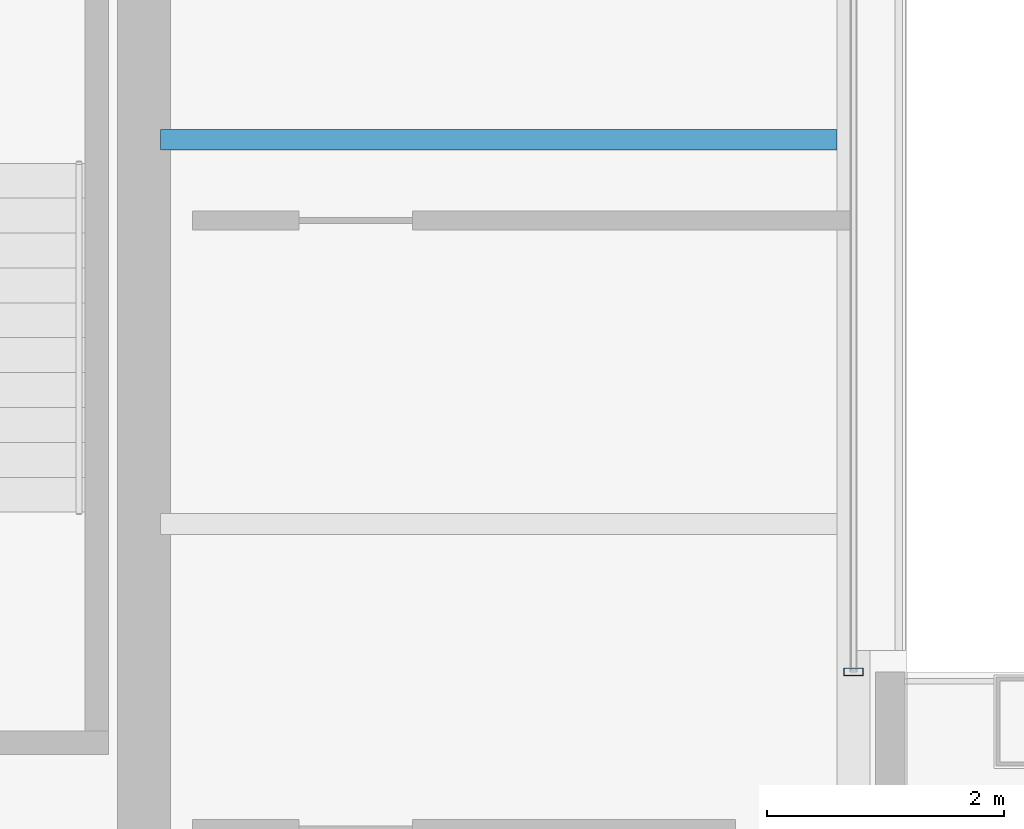
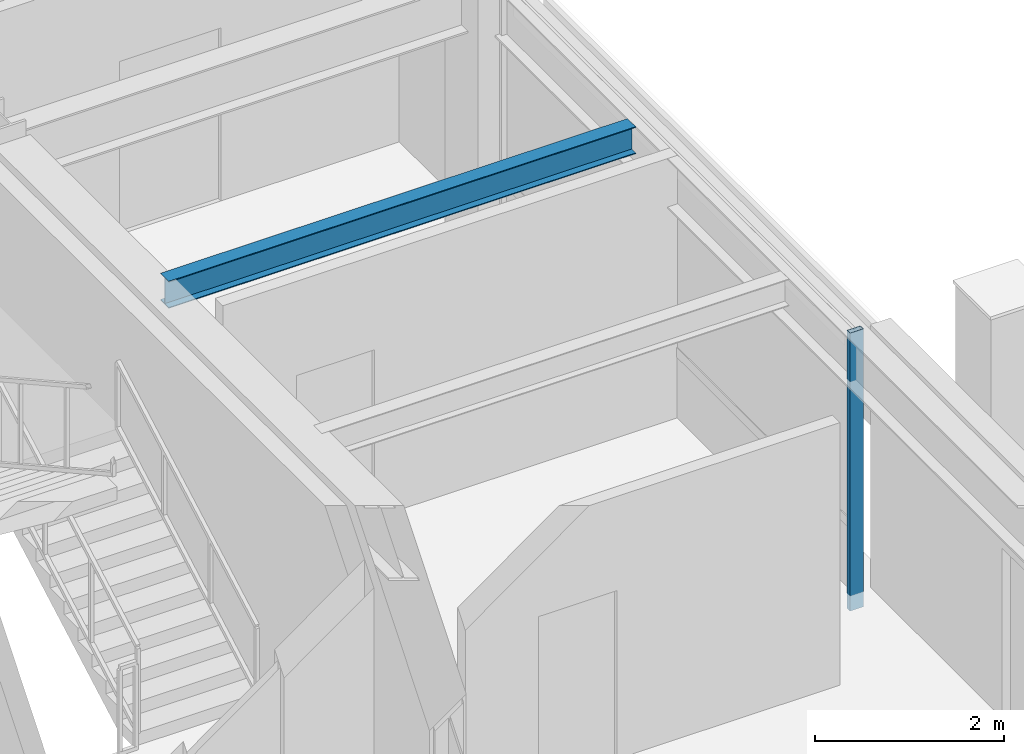
# One storey, part 16 of 30: 1 beam, 1 member, 1 element without a shape of its own.
"""IFC4 building model written with IfcOpenShell, lengths in metres."""

from ifc_helpers import new_model, si_unit, direction, frame, origin, origin_2d, place, context, subcontext, project, spatial, hollow_rectangle, i_section, extrude, material, layer, layer_set, material_profile, profile_set, type_object, element, aggregate, save


model = new_model("IFC4")

# Units and contexts
model_context = context("Model", 3, precision=1e-05, world=origin(), true_north=direction((0.0, 1.0)))
body_context = subcontext(model_context, "Body", "Model", "MODEL_VIEW")
ifc_project = project(units=[si_unit("LENGTHUNIT", "METRE"), si_unit("AREAUNIT", "SQUARE_METRE"), si_unit("VOLUMEUNIT", "CUBIC_METRE"), si_unit("PLANEANGLEUNIT", "RADIAN"), si_unit("MASSUNIT", "GRAM", prefix="KILO")], contexts=[model_context])

# Site, building, storey
site_placement = place(None, origin())
site = spatial("IfcSite", under=ifc_project, at=site_placement, CompositionType="ELEMENT")
building_placement = place(site_placement, origin())
building = spatial("IfcBuilding", under=site, at=building_placement, Name="Brelmoor Portico Tower", CompositionType="ELEMENT")
storey_placement = place(building_placement, frame((0.0, 0.0, 198.300048828125)))
storey = spatial("IfcBuildingStorey", under=building, at=storey_placement, Name="L52", CompositionType="ELEMENT", Elevation=198.300048828125)

# Beam
ifc_material_1 = material(Name="Steel Q355B", Category="steel")
ifc_material_profile_1 = material_profile(ifc_material_1, i_section(OverallWidth=0.175048828125, OverallDepth=0.35009765625, WebThickness=0.007080078125, FlangeThickness=0.010986328125, at=origin_2d()), Name="HN 350x175x7x11")
ifc_profile_set_1 = profile_set([ifc_material_profile_1], Name="Steel Q355B")
beam_type = type_object("IfcBeamType", Name="BM-JS-350", PredefinedType="JOIST", material=ifc_profile_set_1)
beam_placement = place(storey_placement, frame((14.68994140625, 6.5, 3.224853515625), z_axis=(1.0, 0.0, 0.0), x_axis=(0.0, 1.0, 0.0)))
element("IfcBeam", 1, at=beam_placement, inside=storey, type_object=beam_type, Name="L52 Secondary Wing Joist JS-E12", PredefinedType="JOIST", context=body_context, shape_type="SweptSolid", body=[
    extrude(i_section(OverallWidth=0.175048828125, OverallDepth=0.35009765625, WebThickness=0.007080078125, FlangeThickness=0.010986328125, at=origin_2d()), origin(), (0.0, 0.0, 1.0), 5.719970703125),
])

# Curtain wall, member
ifc_material_2 = material(Name="Anodised Aluminium Alloy 6063-T6", Category="aluminium")
ifc_layer = layer(ifc_material_2, 0.179931640625)
ifc_layer_set = layer_set([ifc_layer], Name="Anodised Aluminium Alloy 6063-T6")
curtain_wall_type = type_object("IfcCurtainWallType", Name="CW-TOWER-Z3", PredefinedType="NOTDEFINED", material=ifc_layer_set)
curtain_wall_placement = place(storey_placement, origin())
curtain_wall = element("IfcCurtainWall", 2, at=curtain_wall_placement, inside=storey, type_object=curtain_wall_type, Name="L52 Curtain Wall CW-L52-4R-1", PredefinedType="NOTDEFINED")
ifc_material_profile_2 = material_profile(ifc_material_2, hollow_rectangle(XDim=0.06494140625, YDim=0.1650390625, WallThickness=0.00390625, at=origin_2d()), Name="ALU MULLION 65x165")
ifc_profile_set_2 = profile_set([ifc_material_profile_2], Name="Anodised Aluminium Alloy 6063-T6")
member_type = type_object("IfcMemberType", Name="MB-CW-MULL-165", PredefinedType="MULLION", material=ifc_profile_set_2)
member_placement = place(storey_placement, frame((20.550048828125, 2.0, -0.199951171875), z_axis=(0.0, 0.0, 1.0), x_axis=(0.0, 1.0, 0.0)))
member = element("IfcMember", 3, at=member_placement, type_object=member_type, Name="CW-L52-4R-1 Mullion 00", PredefinedType="MULLION", context=body_context, shape_type="SweptSolid", body=[
    extrude(hollow_rectangle(XDim=0.06494140625, YDim=0.1650390625, WallThickness=0.00390625, at=origin_2d()), origin(), (0.0, 0.0, 1.0), 3.599853515625),
])
aggregate(curtain_wall, [member])

save(model, "model.ifc")
